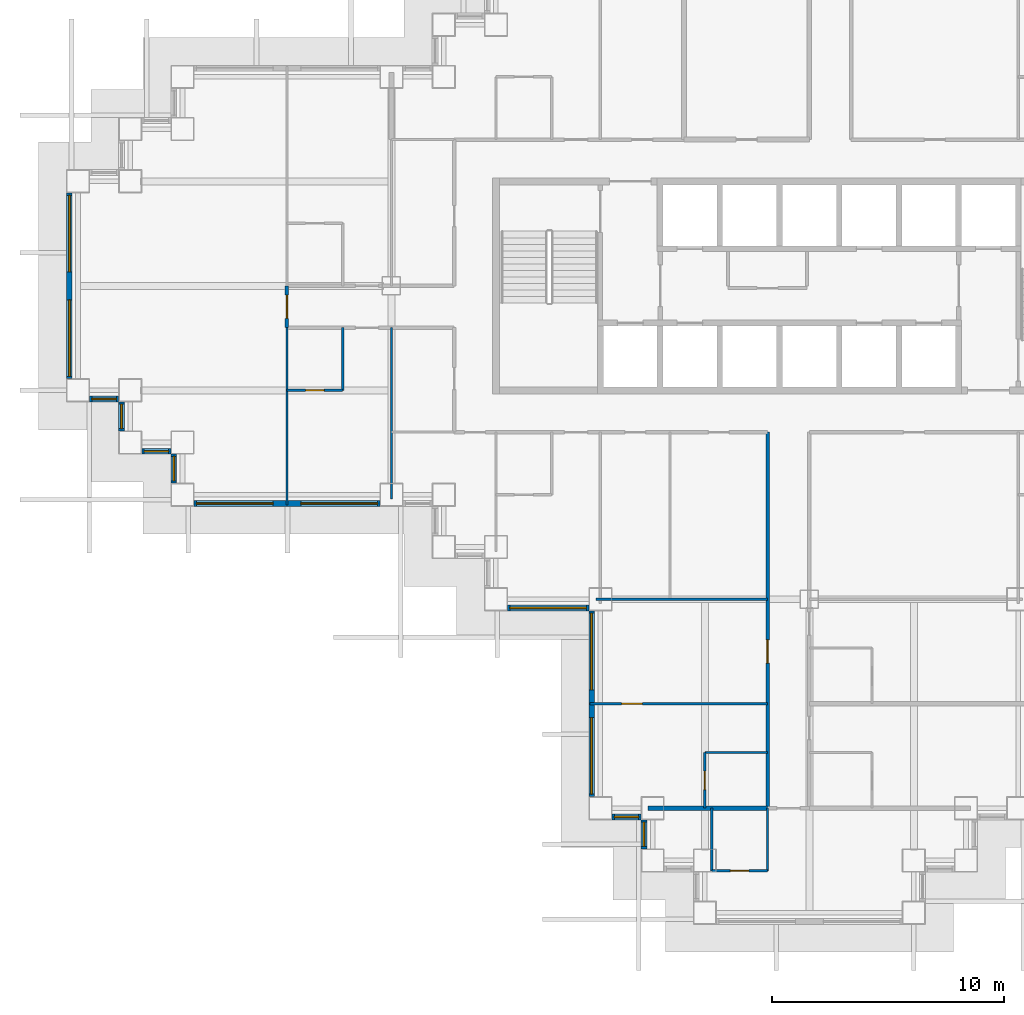
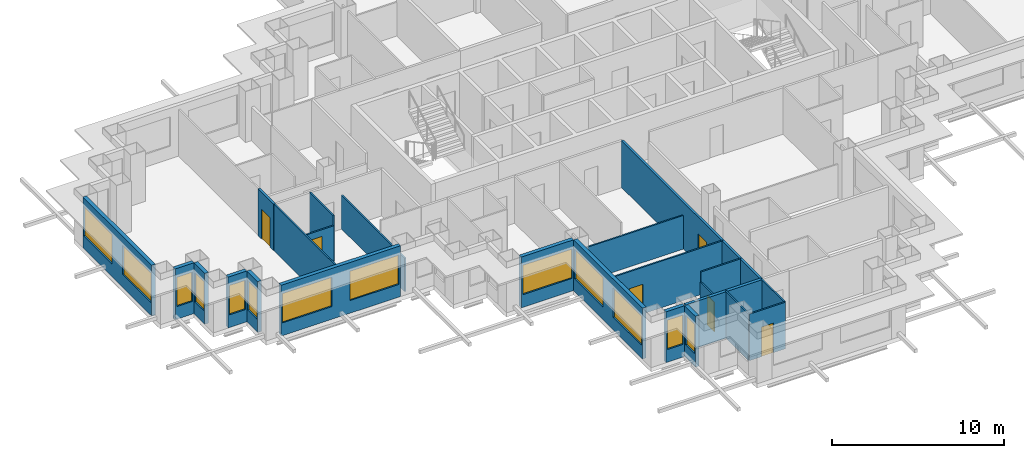
# One storey, part 3 of 15: 24 walls, 13 windows, 6 doors, 19 openings.
"""IFC4 building model written with IfcOpenShell, lengths in metres."""

from ifc_helpers import new_model, si_unit, direction, frame, frame_2d, origin, place, context, subcontext, project, spatial, rectangle, extrude, material, layer, layer_set, type_object, element, fill, save


model = new_model("IFC4")

# Units and contexts
model_context = context("Model", 3, precision=1e-05, world=origin(), true_north=direction((0.0, 1.0)))
body_context = subcontext(model_context, "Body", "Model", "MODEL_VIEW")
ifc_project = project(units=[si_unit("LENGTHUNIT", "METRE"), si_unit("AREAUNIT", "SQUARE_METRE"), si_unit("VOLUMEUNIT", "CUBIC_METRE"), si_unit("PLANEANGLEUNIT", "RADIAN"), si_unit("MASSUNIT", "GRAM", prefix="KILO")], contexts=[model_context])

# Site, building, storey
site_placement = place(None, origin())
site = spatial("IfcSite", under=ifc_project, at=site_placement, CompositionType="ELEMENT")
building_placement = place(site_placement, origin())
building = spatial("IfcBuilding", under=site, at=building_placement, Name="Caravel Reach Hotel and Residences", CompositionType="ELEMENT")
storey_placement = place(building_placement, frame((0.0, 0.0, 70.800048828125)))
storey = spatial("IfcBuildingStorey", under=building, at=storey_placement, Name="L16", CompositionType="ELEMENT", Elevation=70.800048828125)

# Wall, opening, door
ifc_material_1 = material(Name="Gypsum board on steel stud", Category="steel")
ifc_layer_1 = layer(ifc_material_1, 0.10009765625)
ifc_layer_set_1 = layer_set([ifc_layer_1], Name="Bathroom pod wall 100 mm")
wall_type_1 = type_object("IfcWallType", Name="Bathroom pod wall 100 mm", PredefinedType="PARTITIONING", material=ifc_layer_set_1)
wall_1_placement = place(storey_placement, frame((27.300048828125, 1.800048828125, 0.0), z_axis=(0.0, 0.0, 1.0), x_axis=(1.0, 0.0, 0.0)))
wall_1 = element("IfcWall", 1, at=wall_1_placement, inside=storey, type_object=wall_type_1, Name="L16 wall w073", PredefinedType="PARTITIONING", context=body_context, shape_type="SweptSolid", body=[
    extrude(rectangle(XDim=2.39990234375, YDim=0.10009765625, at=frame_2d((1.199951171875, 0.0))), origin(), (0.0, 0.0, 1.0), 3.300048828125),
])
opening_1_placement = place(wall_1_placement, frame((0.800048828125, 0.0, 0.0)))
opening_1 = element("IfcOpeningElement", 2, at=opening_1_placement, cuts=wall_1, Name="Opening D16-041", PredefinedType="OPENING", context=body_context, shape_type="SweptSolid", body=[
    extrude(rectangle(XDim=0.800048828125, YDim=2.10009765625, at=frame_2d((0.39990234375, 1.050048828125))), frame((0.0, 0.06005859375, 0.0), z_axis=(0.0, -1.0, 0.0), x_axis=(1.0, 0.0, 0.0)), (0.0, 0.0, 1.0), 0.1201171875),
])
ifc_material_2 = material(Name="Timber and steel door leaf", Category="steel")
door_type_1 = type_object("IfcDoorType", Name="Bathroom door 800 x 2100", OperationType="SINGLE_SWING_LEFT", PredefinedType="DOOR", material=ifc_material_2)
door_1_placement = place(opening_1_placement, origin())
door_1 = element("IfcDoor", 3, at=door_1_placement, inside=storey, type_object=door_type_1, Name="door D16-041", OperationType="SINGLE_SWING_LEFT", OverallHeight=2.10009765625, OverallWidth=0.800048828125, PredefinedType="DOOR", context=body_context, shape_type="SweptSolid", body=[
    extrude(rectangle(XDim=0.800048828125, YDim=2.10009765625, at=frame_2d((0.39990234375, 1.050048828125))), frame((0.0, 0.02490234375, 0.0), z_axis=(0.0, -1.0, 0.0), x_axis=(1.0, 0.0, 0.0)), (0.0, 0.0, 1.0), 0.050048828125),
])
fill(opening_1, door_1)

wall_2_placement = place(storey_placement, frame((9.0, 22.5, 0.0), z_axis=(0.0, 0.0, 1.0), x_axis=(1.0, 0.0, 0.0)))
wall_2 = element("IfcWall", 4, at=wall_2_placement, inside=storey, type_object=wall_type_1, Name="L16 wall w077", PredefinedType="PARTITIONING", context=body_context, shape_type="SweptSolid", body=[
    extrude(rectangle(XDim=2.39990234375, YDim=0.10009765625, at=frame_2d((1.199951171875, 0.0))), origin(), (0.0, 0.0, 1.0), 2.579833984375),
])
opening_2_placement = place(wall_2_placement, frame((0.800048828125, 0.0, 0.0)))
opening_2 = element("IfcOpeningElement", 5, at=opening_2_placement, cuts=wall_2, Name="Opening D16-016", PredefinedType="OPENING", context=body_context, shape_type="SweptSolid", body=[
    extrude(rectangle(XDim=0.800048828125, YDim=2.10009765625, at=frame_2d((0.39990234375, 1.050048828125))), frame((0.0, 0.06005859375, 0.0), z_axis=(0.0, -1.0, 0.0), x_axis=(1.0, 0.0, 0.0)), (0.0, 0.0, 1.0), 0.1201171875),
])
door_2_placement = place(opening_2_placement, origin())
door_2 = element("IfcDoor", 6, at=door_2_placement, inside=storey, type_object=door_type_1, Name="door D16-016", OperationType="SINGLE_SWING_RIGHT", OverallHeight=2.10009765625, OverallWidth=0.800048828125, PredefinedType="DOOR", context=body_context, shape_type="SweptSolid", body=[
    extrude(rectangle(XDim=0.800048828125, YDim=2.10009765625, at=frame_2d((0.39990234375, 1.050048828125))), frame((0.0, 0.02490234375, 0.0), z_axis=(0.0, -1.0, 0.0), x_axis=(1.0, 0.0, 0.0)), (0.0, 0.0, 1.0), 0.050048828125),
])
fill(opening_2, door_2)

# Walls
for number, where, z_axis, x_axis, name in (
    (7, (27.0, 6.89990234375, 0.0), (0.0, 0.0, 1.0), (1.0, 0.0, 0.0), "L16 wall w087"),
    (8, (11.39990234375, 22.5, 0.0), (0.0, 0.0, 1.0), (0.0, 1.0, 0.0), "L16 wall w089"),
):
    element("IfcWall", number, at=place(storey_placement, frame(where, z_axis=z_axis, x_axis=x_axis)), inside=storey, type_object=wall_type_1, Name=name, PredefinedType="PARTITIONING", context=body_context, shape_type="SweptSolid", body=[
        extrude(rectangle(XDim=2.699951171875, YDim=0.10009765625, at=frame_2d((1.35009765625, 0.0))), origin(), (0.0, 0.0, 1.0), 3.300048828125),
    ])

# Wall, opening, door
wall_3_placement = place(storey_placement, frame((27.0, 4.5, 0.0), z_axis=(0.0, 0.0, 1.0), x_axis=(0.0, 1.0, 0.0)))
wall_3 = element("IfcWall", 9, at=wall_3_placement, inside=storey, type_object=wall_type_1, Name="L16 wall w093", PredefinedType="PARTITIONING", context=body_context, shape_type="SweptSolid", body=[
    extrude(rectangle(XDim=2.39990234375, YDim=0.10009765625, at=frame_2d((1.199951171875, 0.0))), origin(), (0.0, 0.0, 1.0), 2.579833984375),
])
opening_3_placement = place(wall_3_placement, frame((0.800048828125, 0.0, 0.0)))
opening_3 = element("IfcOpeningElement", 10, at=opening_3_placement, cuts=wall_3, Name="Opening D16-032", PredefinedType="OPENING", context=body_context, shape_type="SweptSolid", body=[
    extrude(rectangle(XDim=0.800048828125, YDim=2.10009765625, at=frame_2d((0.39990234375, 1.050048828125))), frame((0.0, 0.06005859375, 0.0), z_axis=(0.0, -1.0, 0.0), x_axis=(1.0, 0.0, 0.0)), (0.0, 0.0, 1.0), 0.1201171875),
])
door_3_placement = place(opening_3_placement, origin())
door_3 = element("IfcDoor", 11, at=door_3_placement, inside=storey, type_object=door_type_1, Name="door D16-032", OperationType="SINGLE_SWING_LEFT", OverallHeight=2.10009765625, OverallWidth=0.800048828125, PredefinedType="DOOR", context=body_context, shape_type="SweptSolid", body=[
    extrude(rectangle(XDim=0.800048828125, YDim=2.10009765625, at=frame_2d((0.39990234375, 1.050048828125))), frame((0.0, 0.02490234375, 0.0), z_axis=(0.0, -1.0, 0.0), x_axis=(1.0, 0.0, 0.0)), (0.0, 0.0, 1.0), 0.050048828125),
])
fill(opening_3, door_3)

# Walls
for number, where, z_axis, x_axis, name in (
    (12, (27.300048828125, 1.800048828125, 0.0), (0.0, 0.0, 1.0), (0.0, 1.0, 0.0), "L16 wall w094"),
    (13, (29.699951171875, 1.800048828125, 0.0), (0.0, 0.0, 1.0), (0.0, 1.0, 0.0), "L16 wall w097"),
):
    element("IfcWall", number, at=place(storey_placement, frame(where, z_axis=z_axis, x_axis=x_axis)), inside=storey, type_object=wall_type_1, Name=name, PredefinedType="PARTITIONING", context=body_context, shape_type="SweptSolid", body=[
        extrude(rectangle(XDim=2.699951171875, YDim=0.10009765625, at=frame_2d((1.35009765625, 0.0))), origin(), (0.0, 0.0, 1.0), 3.300048828125),
    ])

# Wall, opening, door
ifc_material_3 = material(Name="Gypsum board on steel stud, fire-rated", Category="steel")
ifc_layer_2 = layer(ifc_material_3, 0.14990234375)
ifc_layer_set_2 = layer_set([ifc_layer_2], Name="Corridor wall 150 mm EI 60")
wall_type_2 = type_object("IfcWallType", Name="Corridor wall 150 mm EI 60", PredefinedType="PARTITIONING", material=ifc_layer_set_2)
wall_4_placement = place(storey_placement, frame((29.699951171875, 4.5, 0.0), z_axis=(0.0, 0.0, 1.0), x_axis=(0.0, 1.0, 0.0)))
wall_4 = element("IfcWall", 14, at=wall_4_placement, inside=storey, type_object=wall_type_2, Name="L16 wall w024", PredefinedType="PARTITIONING", context=body_context, shape_type="SweptSolid", body=[
    extrude(rectangle(XDim=16.199951171875, YDim=0.14990234375, at=frame_2d((8.10009765625, 0.0))), origin(), (0.0, 0.0, 1.0), 3.300048828125),
])
opening_4_placement = place(wall_4_placement, frame((6.25, 0.0, 0.0)))
opening_4 = element("IfcOpeningElement", 15, at=opening_4_placement, cuts=wall_4, Name="Opening D16-030", PredefinedType="OPENING", context=body_context, shape_type="SweptSolid", body=[
    extrude(rectangle(XDim=1.0, YDim=2.10009765625, at=frame_2d((0.5, 1.050048828125))), frame((0.0, 0.0849609375, 0.0), z_axis=(0.0, -1.0, 0.0), x_axis=(1.0, 0.0, 0.0)), (0.0, 0.0, 1.0), 0.169921875),
])
ifc_material_4 = material(Name="Steel fire door leaf", Category="steel")
door_type_2 = type_object("IfcDoorType", Name="Guest room door 1000 x 2100 EI 30", OperationType="SINGLE_SWING_LEFT", PredefinedType="DOOR", material=ifc_material_4)
door_4_placement = place(opening_4_placement, origin())
door_4 = element("IfcDoor", 16, at=door_4_placement, inside=storey, type_object=door_type_2, Name="door D16-030", OperationType="SINGLE_SWING_RIGHT", OverallHeight=2.10009765625, OverallWidth=1.0, PredefinedType="DOOR", context=body_context, shape_type="SweptSolid", body=[
    extrude(rectangle(XDim=1.0, YDim=2.10009765625, at=frame_2d((0.5, 1.050048828125))), frame((0.0, 0.02490234375, 0.0), z_axis=(0.0, -1.0, 0.0), x_axis=(1.0, 0.0, 0.0)), (0.0, 0.0, 1.0), 0.050048828125),
])
fill(opening_4, door_4)

wall_5_placement = place(storey_placement, frame((9.0, 25.199951171875, 0.0), z_axis=(0.0, 0.0, 1.0), x_axis=(0.0, 1.0, 0.0)))
wall_5 = element("IfcWall", 17, at=wall_5_placement, inside=storey, type_object=wall_type_2, Name="L16 wall w037", PredefinedType="PARTITIONING", context=body_context, shape_type="SweptSolid", body=[
    extrude(rectangle(XDim=1.800048828125, YDim=0.14990234375, at=frame_2d((0.89990234375, 0.0))), origin(), (0.0, 0.0, 1.0), 3.300048828125),
])
opening_5_placement = place(wall_5_placement, frame((0.39990234375, 0.0, 0.0)))
opening_5 = element("IfcOpeningElement", 18, at=opening_5_placement, cuts=wall_5, Name="Opening D16-037", PredefinedType="OPENING", context=body_context, shape_type="SweptSolid", body=[
    extrude(rectangle(XDim=1.0, YDim=2.10009765625, at=frame_2d((0.5, 1.050048828125))), frame((0.0, 0.0849609375, 0.0), z_axis=(0.0, -1.0, 0.0), x_axis=(1.0, 0.0, 0.0)), (0.0, 0.0, 1.0), 0.169921875),
])
door_5_placement = place(opening_5_placement, origin())
door_5 = element("IfcDoor", 19, at=door_5_placement, inside=storey, type_object=door_type_2, Name="door D16-037", OperationType="SINGLE_SWING_RIGHT", OverallHeight=2.10009765625, OverallWidth=1.0, PredefinedType="DOOR", context=body_context, shape_type="SweptSolid", body=[
    extrude(rectangle(XDim=1.0, YDim=2.10009765625, at=frame_2d((0.5, 1.050048828125))), frame((0.0, 0.02490234375, 0.0), z_axis=(0.0, -1.0, 0.0), x_axis=(1.0, 0.0, 0.0)), (0.0, 0.0, 1.0), 0.050048828125),
])
fill(opening_5, door_5)

# Wall, opening, window
ifc_material_5 = material(Name="Insulated rainscreen wall, aluminium cladding", Category="aluminium")
ifc_layer_3 = layer(ifc_material_5, 0.25)
ifc_layer_set_3 = layer_set([ifc_layer_3], Name="EW1 Tower rainscreen wall")
wall_type_3 = type_object("IfcWallType", Name="EW1 Tower rainscreen wall", PredefinedType="SOLIDWALL", material=ifc_layer_set_3)
wall_6_placement = place(storey_placement, frame((23.0, 4.125, 0.0), z_axis=(0.0, 0.0, 1.0), x_axis=(1.0, 0.0, 0.0)))
wall_6 = element("IfcWall", 20, at=wall_6_placement, inside=storey, type_object=wall_type_3, Name="External wall L16 S1.1", PredefinedType="SOLIDWALL", context=body_context, shape_type="SweptSolid", body=[
    extrude(rectangle(XDim=1.25, YDim=0.25, at=frame_2d((0.625, 0.0))), origin(), (0.0, 0.0, 1.0), 3.599853515625),
])
opening_6_placement = place(wall_6_placement, frame((0.10009765625, 0.0, 0.89990234375)))
opening_6 = element("IfcOpeningElement", 21, at=opening_6_placement, cuts=wall_6, Name="Opening WN3", PredefinedType="OPENING", context=body_context, shape_type="SweptSolid", body=[
    extrude(rectangle(XDim=1.050048828125, YDim=2.080078125, at=frame_2d((0.52490234375, 1.0400390625))), frame((0.0, 0.135009765625, 0.0), z_axis=(0.0, -1.0, 0.0), x_axis=(1.0, 0.0, 0.0)), (0.0, 0.0, 1.0), 0.27001953125),
])
ifc_material_6 = material(Name="Dark low-e glazing in black aluminium frame", Category="aluminium")
window_type_1 = type_object("IfcWindowType", Name="Hotel suite corner window 1050 x 2080", PartitioningType="SINGLE_PANEL", PredefinedType="WINDOW", material=ifc_material_6)
window_1_placement = place(opening_6_placement, origin())
window_1 = element("IfcWindow", 22, at=window_1_placement, inside=storey, type_object=window_type_1, Name="Window L16 S1.1.1", OverallHeight=2.080078125, OverallWidth=1.050048828125, PartitioningType="SINGLE_PANEL", PredefinedType="WINDOW", context=body_context, shape_type="SweptSolid", body=[
    extrude(rectangle(XDim=1.050048828125, YDim=2.080078125, at=frame_2d((0.52490234375, 1.0400390625))), frame((0.0, 0.030029296875, 0.0), z_axis=(0.0, -1.0, 0.0), x_axis=(1.0, 0.0, 0.0)), (0.0, 0.0, 1.0), 0.06005859375),
])
fill(opening_6, window_1)

wall_7_placement = place(storey_placement, frame((24.375, 4.0, 0.0), z_axis=(0.0, 0.0, 1.0), x_axis=(0.0, -1.0, 0.0)))
wall_7 = element("IfcWall", 23, at=wall_7_placement, inside=storey, type_object=wall_type_3, Name="External wall L16 W2.1", PredefinedType="SOLIDWALL", context=body_context, shape_type="SweptSolid", body=[
    extrude(rectangle(XDim=1.25, YDim=0.25, at=frame_2d((0.625, 0.0))), origin(), (0.0, 0.0, 1.0), 3.599853515625),
])
opening_7_placement = place(wall_7_placement, frame((0.10009765625, 0.0, 0.89990234375)))
opening_7 = element("IfcOpeningElement", 24, at=opening_7_placement, cuts=wall_7, Name="Opening WN3", PredefinedType="OPENING", context=body_context, shape_type="SweptSolid", body=[
    extrude(rectangle(XDim=1.050048828125, YDim=2.080078125, at=frame_2d((0.52490234375, 1.0400390625))), frame((0.0, 0.135009765625, 0.0), z_axis=(0.0, -1.0, 0.0), x_axis=(1.0, 0.0, 0.0)), (0.0, 0.0, 1.0), 0.27001953125),
])
window_2_placement = place(opening_7_placement, origin())
window_2 = element("IfcWindow", 25, at=window_2_placement, inside=storey, type_object=window_type_1, Name="Window L16 W2.1.1", OverallHeight=2.080078125, OverallWidth=1.050048828125, PartitioningType="SINGLE_PANEL", PredefinedType="WINDOW", context=body_context, shape_type="SweptSolid", body=[
    extrude(rectangle(XDim=1.050048828125, YDim=2.080078125, at=frame_2d((0.52490234375, 1.0400390625))), frame((0.0, 0.030029296875, 0.0), z_axis=(0.0, -1.0, 0.0), x_axis=(1.0, 0.0, 0.0)), (0.0, 0.0, 1.0), 0.06005859375),
])
fill(opening_7, window_2)

# Wall, openings, windows
wall_8_placement = place(storey_placement, frame((-0.375, 31.0, 0.0), z_axis=(0.0, 0.0, 1.0), x_axis=(0.0, -1.0, 0.0)))
wall_8 = element("IfcWall", 26, at=wall_8_placement, inside=storey, type_object=wall_type_3, Name="External wall L16 W50.1", PredefinedType="SOLIDWALL", context=body_context, shape_type="SweptSolid", body=[
    extrude(rectangle(XDim=8.0, YDim=0.25, at=frame_2d((4.0, 0.0))), origin(), (0.0, 0.0, 1.0), 3.599853515625),
])
opening_8_placement = place(wall_8_placement, frame((0.10009765625, 0.0, 0.89990234375)))
opening_8 = element("IfcOpeningElement", 27, at=opening_8_placement, cuts=wall_8, Name="Opening WN4", PredefinedType="OPENING", context=body_context, shape_type="SweptSolid", body=[
    extrude(rectangle(XDim=3.300048828125, YDim=2.080078125, at=frame_2d((1.64990234375, 1.0400390625))), frame((0.0, 0.135009765625, 0.0), z_axis=(0.0, -1.0, 0.0), x_axis=(1.0, 0.0, 0.0)), (0.0, 0.0, 1.0), 0.27001953125),
])
opening_9_placement = place(wall_8_placement, frame((4.60009765625, 0.0, 0.89990234375)))
opening_9 = element("IfcOpeningElement", 28, at=opening_9_placement, cuts=wall_8, Name="Opening WN4", PredefinedType="OPENING", context=body_context, shape_type="SweptSolid", body=[
    extrude(rectangle(XDim=3.300048828125, YDim=2.080078125, at=frame_2d((1.64990234375, 1.0400390625))), frame((0.0, 0.135009765625, 0.0), z_axis=(0.0, -1.0, 0.0), x_axis=(1.0, 0.0, 0.0)), (0.0, 0.0, 1.0), 0.27001953125),
])
ifc_material_7 = material(Name="Dark low-e glazing in black aluminium frame", Category="aluminium")
window_type_2 = type_object("IfcWindowType", Name="Hotel guest room window 3300 x 2080", PartitioningType="SINGLE_PANEL", PredefinedType="WINDOW", material=ifc_material_7)
window_3_placement = place(opening_8_placement, origin())
window_3 = element("IfcWindow", 29, at=window_3_placement, inside=storey, type_object=window_type_2, Name="Window L16 W50.1.1", OverallHeight=2.080078125, OverallWidth=3.300048828125, PartitioningType="SINGLE_PANEL", PredefinedType="WINDOW", context=body_context, shape_type="SweptSolid", body=[
    extrude(rectangle(XDim=3.300048828125, YDim=2.080078125, at=frame_2d((1.64990234375, 1.0400390625))), frame((0.0, 0.030029296875, 0.0), z_axis=(0.0, -1.0, 0.0), x_axis=(1.0, 0.0, 0.0)), (0.0, 0.0, 1.0), 0.06005859375),
])
fill(opening_8, window_3)
window_4_placement = place(opening_9_placement, origin())
window_4 = element("IfcWindow", 30, at=window_4_placement, inside=storey, type_object=window_type_2, Name="Window L16 W50.1.2", OverallHeight=2.080078125, OverallWidth=3.300048828125, PartitioningType="SINGLE_PANEL", PredefinedType="WINDOW", context=body_context, shape_type="SweptSolid", body=[
    extrude(rectangle(XDim=3.300048828125, YDim=2.080078125, at=frame_2d((1.64990234375, 1.0400390625))), frame((0.0, 0.030029296875, 0.0), z_axis=(0.0, -1.0, 0.0), x_axis=(1.0, 0.0, 0.0)), (0.0, 0.0, 1.0), 0.06005859375),
])
fill(opening_9, window_4)

# Wall, opening, window
wall_9_placement = place(storey_placement, frame((0.5, 22.125, 0.0), z_axis=(0.0, 0.0, 1.0), x_axis=(1.0, 0.0, 0.0)))
wall_9 = element("IfcWall", 31, at=wall_9_placement, inside=storey, type_object=wall_type_3, Name="External wall L16 S51.1", PredefinedType="SOLIDWALL", context=body_context, shape_type="SweptSolid", body=[
    extrude(rectangle(XDim=1.25, YDim=0.25, at=frame_2d((0.625, 0.0))), origin(), (0.0, 0.0, 1.0), 3.599853515625),
])
opening_10_placement = place(wall_9_placement, frame((0.10009765625, 0.0, 0.89990234375)))
opening_10 = element("IfcOpeningElement", 32, at=opening_10_placement, cuts=wall_9, Name="Opening WN3", PredefinedType="OPENING", context=body_context, shape_type="SweptSolid", body=[
    extrude(rectangle(XDim=1.050048828125, YDim=2.080078125, at=frame_2d((0.52490234375, 1.0400390625))), frame((0.0, 0.135009765625, 0.0), z_axis=(0.0, -1.0, 0.0), x_axis=(1.0, 0.0, 0.0)), (0.0, 0.0, 1.0), 0.27001953125),
])
window_5_placement = place(opening_10_placement, origin())
window_5 = element("IfcWindow", 33, at=window_5_placement, inside=storey, type_object=window_type_1, Name="Window L16 S51.1.1", OverallHeight=2.080078125, OverallWidth=1.050048828125, PartitioningType="SINGLE_PANEL", PredefinedType="WINDOW", context=body_context, shape_type="SweptSolid", body=[
    extrude(rectangle(XDim=1.050048828125, YDim=2.080078125, at=frame_2d((0.52490234375, 1.0400390625))), frame((0.0, 0.030029296875, 0.0), z_axis=(0.0, -1.0, 0.0), x_axis=(1.0, 0.0, 0.0)), (0.0, 0.0, 1.0), 0.06005859375),
])
fill(opening_10, window_5)

wall_10_placement = place(storey_placement, frame((1.875, 22.0, 0.0), z_axis=(0.0, 0.0, 1.0), x_axis=(0.0, -1.0, 0.0)))
wall_10 = element("IfcWall", 34, at=wall_10_placement, inside=storey, type_object=wall_type_3, Name="External wall L16 W52.1", PredefinedType="SOLIDWALL", context=body_context, shape_type="SweptSolid", body=[
    extrude(rectangle(XDim=1.25, YDim=0.25, at=frame_2d((0.625, 0.0))), origin(), (0.0, 0.0, 1.0), 3.599853515625),
])
opening_11_placement = place(wall_10_placement, frame((0.10009765625, 0.0, 0.89990234375)))
opening_11 = element("IfcOpeningElement", 35, at=opening_11_placement, cuts=wall_10, Name="Opening WN3", PredefinedType="OPENING", context=body_context, shape_type="SweptSolid", body=[
    extrude(rectangle(XDim=1.050048828125, YDim=2.080078125, at=frame_2d((0.52490234375, 1.0400390625))), frame((0.0, 0.135009765625, 0.0), z_axis=(0.0, -1.0, 0.0), x_axis=(1.0, 0.0, 0.0)), (0.0, 0.0, 1.0), 0.27001953125),
])
window_6_placement = place(opening_11_placement, origin())
window_6 = element("IfcWindow", 36, at=window_6_placement, inside=storey, type_object=window_type_1, Name="Window L16 W52.1.1", OverallHeight=2.080078125, OverallWidth=1.050048828125, PartitioningType="SINGLE_PANEL", PredefinedType="WINDOW", context=body_context, shape_type="SweptSolid", body=[
    extrude(rectangle(XDim=1.050048828125, YDim=2.080078125, at=frame_2d((0.52490234375, 1.0400390625))), frame((0.0, 0.030029296875, 0.0), z_axis=(0.0, -1.0, 0.0), x_axis=(1.0, 0.0, 0.0)), (0.0, 0.0, 1.0), 0.06005859375),
])
fill(opening_11, window_6)

wall_11_placement = place(storey_placement, frame((2.75, 19.875, 0.0), z_axis=(0.0, 0.0, 1.0), x_axis=(1.0, 0.0, 0.0)))
wall_11 = element("IfcWall", 37, at=wall_11_placement, inside=storey, type_object=wall_type_3, Name="External wall L16 S53.1", PredefinedType="SOLIDWALL", context=body_context, shape_type="SweptSolid", body=[
    extrude(rectangle(XDim=1.25, YDim=0.25, at=frame_2d((0.625, 0.0))), origin(), (0.0, 0.0, 1.0), 3.599853515625),
])
opening_12_placement = place(wall_11_placement, frame((0.10009765625, 0.0, 0.89990234375)))
opening_12 = element("IfcOpeningElement", 38, at=opening_12_placement, cuts=wall_11, Name="Opening WN3", PredefinedType="OPENING", context=body_context, shape_type="SweptSolid", body=[
    extrude(rectangle(XDim=1.050048828125, YDim=2.080078125, at=frame_2d((0.52490234375, 1.0400390625))), frame((0.0, 0.135009765625, 0.0), z_axis=(0.0, -1.0, 0.0), x_axis=(1.0, 0.0, 0.0)), (0.0, 0.0, 1.0), 0.27001953125),
])
window_7_placement = place(opening_12_placement, origin())
window_7 = element("IfcWindow", 39, at=window_7_placement, inside=storey, type_object=window_type_1, Name="Window L16 S53.1.1", OverallHeight=2.080078125, OverallWidth=1.050048828125, PartitioningType="SINGLE_PANEL", PredefinedType="WINDOW", context=body_context, shape_type="SweptSolid", body=[
    extrude(rectangle(XDim=1.050048828125, YDim=2.080078125, at=frame_2d((0.52490234375, 1.0400390625))), frame((0.0, 0.030029296875, 0.0), z_axis=(0.0, -1.0, 0.0), x_axis=(1.0, 0.0, 0.0)), (0.0, 0.0, 1.0), 0.06005859375),
])
fill(opening_12, window_7)

wall_12_placement = place(storey_placement, frame((4.125, 19.75, 0.0), z_axis=(0.0, 0.0, 1.0), x_axis=(0.0, -1.0, 0.0)))
wall_12 = element("IfcWall", 40, at=wall_12_placement, inside=storey, type_object=wall_type_3, Name="External wall L16 W54.1", PredefinedType="SOLIDWALL", context=body_context, shape_type="SweptSolid", body=[
    extrude(rectangle(XDim=1.25, YDim=0.25, at=frame_2d((0.625, 0.0))), origin(), (0.0, 0.0, 1.0), 3.599853515625),
])
opening_13_placement = place(wall_12_placement, frame((0.10009765625, 0.0, 0.89990234375)))
opening_13 = element("IfcOpeningElement", 41, at=opening_13_placement, cuts=wall_12, Name="Opening WN3", PredefinedType="OPENING", context=body_context, shape_type="SweptSolid", body=[
    extrude(rectangle(XDim=1.050048828125, YDim=2.080078125, at=frame_2d((0.52490234375, 1.0400390625))), frame((0.0, 0.135009765625, 0.0), z_axis=(0.0, -1.0, 0.0), x_axis=(1.0, 0.0, 0.0)), (0.0, 0.0, 1.0), 0.27001953125),
])
window_8_placement = place(opening_13_placement, origin())
window_8 = element("IfcWindow", 42, at=window_8_placement, inside=storey, type_object=window_type_1, Name="Window L16 W54.1.1", OverallHeight=2.080078125, OverallWidth=1.050048828125, PartitioningType="SINGLE_PANEL", PredefinedType="WINDOW", context=body_context, shape_type="SweptSolid", body=[
    extrude(rectangle(XDim=1.050048828125, YDim=2.080078125, at=frame_2d((0.52490234375, 1.0400390625))), frame((0.0, 0.030029296875, 0.0), z_axis=(0.0, -1.0, 0.0), x_axis=(1.0, 0.0, 0.0)), (0.0, 0.0, 1.0), 0.06005859375),
])
fill(opening_13, window_8)

# Wall, openings, windows
wall_13_placement = place(storey_placement, frame((5.0, 17.625, 0.0), z_axis=(0.0, 0.0, 1.0), x_axis=(1.0, 0.0, 0.0)))
wall_13 = element("IfcWall", 43, at=wall_13_placement, inside=storey, type_object=wall_type_3, Name="External wall L16 S55.1", PredefinedType="SOLIDWALL", context=body_context, shape_type="SweptSolid", body=[
    extrude(rectangle(XDim=8.0, YDim=0.25, at=frame_2d((4.0, 0.0))), origin(), (0.0, 0.0, 1.0), 3.599853515625),
])
opening_14_placement = place(wall_13_placement, frame((0.10009765625, 0.0, 0.89990234375)))
opening_14 = element("IfcOpeningElement", 44, at=opening_14_placement, cuts=wall_13, Name="Opening WN4", PredefinedType="OPENING", context=body_context, shape_type="SweptSolid", body=[
    extrude(rectangle(XDim=3.300048828125, YDim=2.080078125, at=frame_2d((1.64990234375, 1.0400390625))), frame((0.0, 0.135009765625, 0.0), z_axis=(0.0, -1.0, 0.0), x_axis=(1.0, 0.0, 0.0)), (0.0, 0.0, 1.0), 0.27001953125),
])
opening_15_placement = place(wall_13_placement, frame((4.60009765625, 0.0, 0.89990234375)))
opening_15 = element("IfcOpeningElement", 45, at=opening_15_placement, cuts=wall_13, Name="Opening WN4", PredefinedType="OPENING", context=body_context, shape_type="SweptSolid", body=[
    extrude(rectangle(XDim=3.300048828125, YDim=2.080078125, at=frame_2d((1.64990234375, 1.0400390625))), frame((0.0, 0.135009765625, 0.0), z_axis=(0.0, -1.0, 0.0), x_axis=(1.0, 0.0, 0.0)), (0.0, 0.0, 1.0), 0.27001953125),
])
window_9_placement = place(opening_14_placement, origin())
window_9 = element("IfcWindow", 46, at=window_9_placement, inside=storey, type_object=window_type_2, Name="Window L16 S55.1.1", OverallHeight=2.080078125, OverallWidth=3.300048828125, PartitioningType="SINGLE_PANEL", PredefinedType="WINDOW", context=body_context, shape_type="SweptSolid", body=[
    extrude(rectangle(XDim=3.300048828125, YDim=2.080078125, at=frame_2d((1.64990234375, 1.0400390625))), frame((0.0, 0.030029296875, 0.0), z_axis=(0.0, -1.0, 0.0), x_axis=(1.0, 0.0, 0.0)), (0.0, 0.0, 1.0), 0.06005859375),
])
fill(opening_14, window_9)
window_10_placement = place(opening_15_placement, origin())
window_10 = element("IfcWindow", 47, at=window_10_placement, inside=storey, type_object=window_type_2, Name="Window L16 S55.1.2", OverallHeight=2.080078125, OverallWidth=3.300048828125, PartitioningType="SINGLE_PANEL", PredefinedType="WINDOW", context=body_context, shape_type="SweptSolid", body=[
    extrude(rectangle(XDim=3.300048828125, YDim=2.080078125, at=frame_2d((1.64990234375, 1.0400390625))), frame((0.0, 0.030029296875, 0.0), z_axis=(0.0, -1.0, 0.0), x_axis=(1.0, 0.0, 0.0)), (0.0, 0.0, 1.0), 0.06005859375),
])
fill(opening_15, window_10)

# Wall, opening, window
wall_14_placement = place(storey_placement, frame((18.5, 13.125, 0.0), z_axis=(0.0, 0.0, 1.0), x_axis=(1.0, 0.0, 0.0)))
wall_14 = element("IfcWall", 48, at=wall_14_placement, inside=storey, type_object=wall_type_3, Name="External wall L16 S59.1", PredefinedType="SOLIDWALL", context=body_context, shape_type="SweptSolid", body=[
    extrude(rectangle(XDim=3.5, YDim=0.25, at=frame_2d((1.75, 0.0))), origin(), (0.0, 0.0, 1.0), 3.599853515625),
])
opening_16_placement = place(wall_14_placement, frame((0.10009765625, 0.0, 0.89990234375)))
opening_16 = element("IfcOpeningElement", 49, at=opening_16_placement, cuts=wall_14, Name="Opening WN4", PredefinedType="OPENING", context=body_context, shape_type="SweptSolid", body=[
    extrude(rectangle(XDim=3.300048828125, YDim=2.080078125, at=frame_2d((1.64990234375, 1.0400390625))), frame((0.0, 0.135009765625, 0.0), z_axis=(0.0, -1.0, 0.0), x_axis=(1.0, 0.0, 0.0)), (0.0, 0.0, 1.0), 0.27001953125),
])
window_11_placement = place(opening_16_placement, origin())
window_11 = element("IfcWindow", 50, at=window_11_placement, inside=storey, type_object=window_type_2, Name="Window L16 S59.1.1", OverallHeight=2.080078125, OverallWidth=3.300048828125, PartitioningType="SINGLE_PANEL", PredefinedType="WINDOW", context=body_context, shape_type="SweptSolid", body=[
    extrude(rectangle(XDim=3.300048828125, YDim=2.080078125, at=frame_2d((1.64990234375, 1.0400390625))), frame((0.0, 0.030029296875, 0.0), z_axis=(0.0, -1.0, 0.0), x_axis=(1.0, 0.0, 0.0)), (0.0, 0.0, 1.0), 0.06005859375),
])
fill(opening_16, window_11)

# Wall, openings, windows
wall_15_placement = place(storey_placement, frame((22.125, 13.0, 0.0), z_axis=(0.0, 0.0, 1.0), x_axis=(0.0, -1.0, 0.0)))
wall_15 = element("IfcWall", 51, at=wall_15_placement, inside=storey, type_object=wall_type_3, Name="External wall L16 W60.1", PredefinedType="SOLIDWALL", context=body_context, shape_type="SweptSolid", body=[
    extrude(rectangle(XDim=8.0, YDim=0.25, at=frame_2d((4.0, 0.0))), origin(), (0.0, 0.0, 1.0), 3.599853515625),
])
opening_17_placement = place(wall_15_placement, frame((0.10009765625, 0.0, 0.89990234375)))
opening_17 = element("IfcOpeningElement", 52, at=opening_17_placement, cuts=wall_15, Name="Opening WN4", PredefinedType="OPENING", context=body_context, shape_type="SweptSolid", body=[
    extrude(rectangle(XDim=3.300048828125, YDim=2.080078125, at=frame_2d((1.64990234375, 1.0400390625))), frame((0.0, 0.135009765625, 0.0), z_axis=(0.0, -1.0, 0.0), x_axis=(1.0, 0.0, 0.0)), (0.0, 0.0, 1.0), 0.27001953125),
])
opening_18_placement = place(wall_15_placement, frame((4.60009765625, 0.0, 0.89990234375)))
opening_18 = element("IfcOpeningElement", 53, at=opening_18_placement, cuts=wall_15, Name="Opening WN4", PredefinedType="OPENING", context=body_context, shape_type="SweptSolid", body=[
    extrude(rectangle(XDim=3.300048828125, YDim=2.080078125, at=frame_2d((1.64990234375, 1.0400390625))), frame((0.0, 0.135009765625, 0.0), z_axis=(0.0, -1.0, 0.0), x_axis=(1.0, 0.0, 0.0)), (0.0, 0.0, 1.0), 0.27001953125),
])
window_12_placement = place(opening_17_placement, origin())
window_12 = element("IfcWindow", 54, at=window_12_placement, inside=storey, type_object=window_type_2, Name="Window L16 W60.1.1", OverallHeight=2.080078125, OverallWidth=3.300048828125, PartitioningType="SINGLE_PANEL", PredefinedType="WINDOW", context=body_context, shape_type="SweptSolid", body=[
    extrude(rectangle(XDim=3.300048828125, YDim=2.080078125, at=frame_2d((1.64990234375, 1.0400390625))), frame((0.0, 0.030029296875, 0.0), z_axis=(0.0, -1.0, 0.0), x_axis=(1.0, 0.0, 0.0)), (0.0, 0.0, 1.0), 0.06005859375),
])
fill(opening_17, window_12)
window_13_placement = place(opening_18_placement, origin())
window_13 = element("IfcWindow", 55, at=window_13_placement, inside=storey, type_object=window_type_2, Name="Window L16 W60.1.2", OverallHeight=2.080078125, OverallWidth=3.300048828125, PartitioningType="SINGLE_PANEL", PredefinedType="WINDOW", context=body_context, shape_type="SweptSolid", body=[
    extrude(rectangle(XDim=3.300048828125, YDim=2.080078125, at=frame_2d((1.64990234375, 1.0400390625))), frame((0.0, 0.030029296875, 0.0), z_axis=(0.0, -1.0, 0.0), x_axis=(1.0, 0.0, 0.0)), (0.0, 0.0, 1.0), 0.06005859375),
])
fill(opening_18, window_13)

# Wall
ifc_material_8 = material(Name="Gypsum board on steel stud", Category="steel")
ifc_layer_4 = layer(ifc_material_8, 0.10009765625)
ifc_layer_set_4 = layer_set([ifc_layer_4], Name="Partition 100 mm")
wall_type_4 = type_object("IfcWallType", Name="Partition 100 mm", PredefinedType="PARTITIONING", material=ifc_layer_set_4)
wall_16_placement = place(storey_placement, frame((22.31005859375, 13.5, 0.0), z_axis=(0.0, 0.0, 1.0), x_axis=(1.0, 0.0, 0.0)))
element("IfcWall", 56, at=wall_16_placement, inside=storey, type_object=wall_type_4, Name="L16 wall w039", PredefinedType="PARTITIONING", context=body_context, shape_type="SweptSolid", body=[
    extrude(rectangle(XDim=7.389892578125, YDim=0.10009765625, at=frame_2d((3.69482421875, 0.0))), origin(), (0.0, 0.0, 1.0), 2.3798828125),
])

# Wall, opening, door
wall_17_placement = place(storey_placement, frame((22.06005859375, 9.0, 0.0), z_axis=(0.0, 0.0, 1.0), x_axis=(1.0, 0.0, 0.0)))
wall_17 = element("IfcWall", 57, at=wall_17_placement, inside=storey, type_object=wall_type_4, Name="L16 wall w050", PredefinedType="PARTITIONING", context=body_context, shape_type="SweptSolid", body=[
    extrude(rectangle(XDim=7.639892578125, YDim=0.10009765625, at=frame_2d((3.81982421875, 0.0))), origin(), (0.0, 0.0, 1.0), 3.300048828125),
])
opening_19_placement = place(wall_17_placement, frame((1.35009765625, 0.0, 0.0)))
opening_19 = element("IfcOpeningElement", 58, at=opening_19_placement, cuts=wall_17, Name="Opening D16-031", PredefinedType="OPENING", context=body_context, shape_type="SweptSolid", body=[
    extrude(rectangle(XDim=0.89990234375, YDim=2.10009765625, at=frame_2d((0.449951171875, 1.050048828125))), frame((0.0, 0.06005859375, 0.0), z_axis=(0.0, -1.0, 0.0), x_axis=(1.0, 0.0, 0.0)), (0.0, 0.0, 1.0), 0.1201171875),
])
ifc_material_9 = material(Name="Timber and steel door leaf", Category="steel")
door_type_3 = type_object("IfcDoorType", Name="Door 900 x 2100 timber", OperationType="SINGLE_SWING_LEFT", PredefinedType="DOOR", material=ifc_material_9)
door_6_placement = place(opening_19_placement, origin())
door_6 = element("IfcDoor", 59, at=door_6_placement, inside=storey, type_object=door_type_3, Name="door D16-031", OperationType="SINGLE_SWING_LEFT", OverallHeight=2.10009765625, OverallWidth=0.89990234375, PredefinedType="DOOR", context=body_context, shape_type="SweptSolid", body=[
    extrude(rectangle(XDim=0.89990234375, YDim=2.10009765625, at=frame_2d((0.449951171875, 1.050048828125))), frame((0.0, 0.02490234375, 0.0), z_axis=(0.0, -1.0, 0.0), x_axis=(1.0, 0.0, 0.0)), (0.0, 0.0, 1.0), 0.050048828125),
])
fill(opening_19, door_6)

# Walls
wall_18_placement = place(storey_placement, frame((13.5, 17.81005859375, 0.0), z_axis=(0.0, 0.0, 1.0), x_axis=(0.0, 1.0, 0.0)))
element("IfcWall", 60, at=wall_18_placement, inside=storey, type_object=wall_type_4, Name="L16 wall w053", PredefinedType="PARTITIONING", context=body_context, shape_type="SweptSolid", body=[
    extrude(rectangle(XDim=7.389892578125, YDim=0.10009765625, at=frame_2d((3.69482421875, 0.0))), origin(), (0.0, 0.0, 1.0), 2.3798828125),
])
wall_19_placement = place(storey_placement, frame((9.0, 17.56005859375, 0.0), z_axis=(0.0, 0.0, 1.0), x_axis=(0.0, 1.0, 0.0)))
element("IfcWall", 61, at=wall_19_placement, inside=storey, type_object=wall_type_4, Name="L16 wall w065", PredefinedType="PARTITIONING", context=body_context, shape_type="SweptSolid", body=[
    extrude(rectangle(XDim=7.639892578125, YDim=0.10009765625, at=frame_2d((3.81982421875, 0.0))), origin(), (0.0, 0.0, 1.0), 3.300048828125),
])
ifc_material_10 = material(Name="Autoclaved aerated block wall")
ifc_layer_5 = layer(ifc_material_10, 0.199951171875)
ifc_layer_set_5 = layer_set([ifc_layer_5], Name="Party wall 200 mm EI 60")
wall_type_5 = type_object("IfcWallType", Name="Party wall 200 mm EI 60", PredefinedType="PARTITIONING", material=ifc_layer_set_5)
wall_20_placement = place(storey_placement, frame((24.56005859375, 4.5, 0.0), z_axis=(0.0, 0.0, 1.0), x_axis=(1.0, 0.0, 0.0)))
element("IfcWall", 62, at=wall_20_placement, inside=storey, type_object=wall_type_5, Name="L16 wall w067", PredefinedType="PARTITIONING", context=body_context, shape_type="SweptSolid", body=[
    extrude(rectangle(XDim=5.139892578125, YDim=0.199951171875, at=frame_2d((2.56982421875, 0.0))), origin(), (0.0, 0.0, 1.0), 3.300048828125),
])

save(model, "model.ifc")
